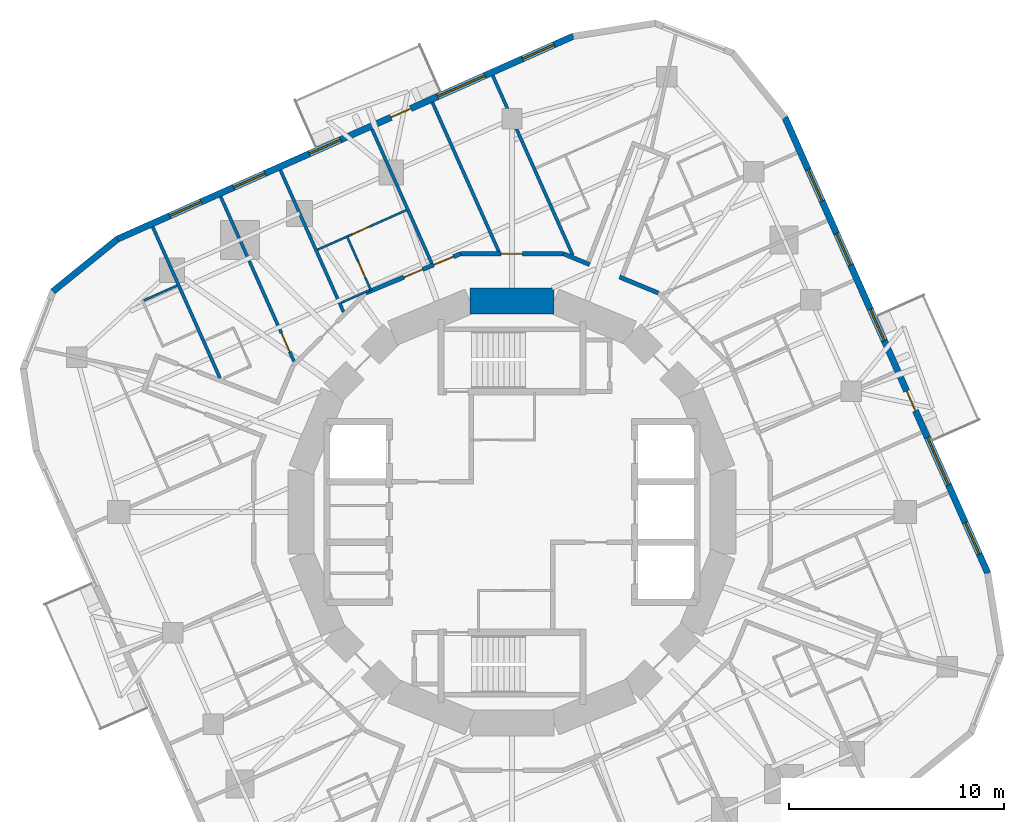
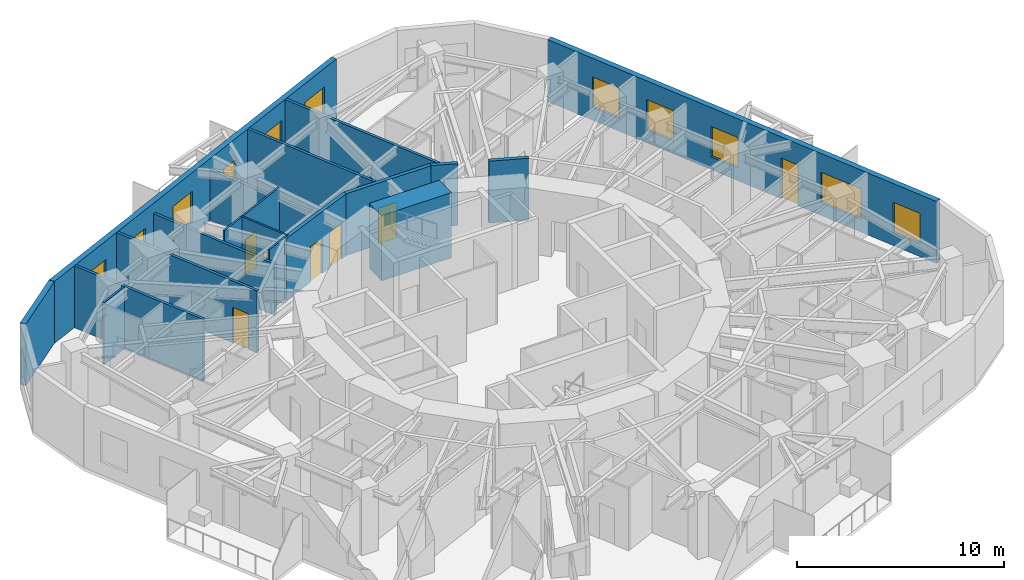
# One storey, part 9 of 12: 19 walls, 10 windows, 8 doors, 18 openings.
"""IFC4 building model written with IfcOpenShell, lengths in metres."""

from ifc_helpers import new_model, si_unit, direction, frame, frame_2d, origin, place, context, subcontext, project, spatial, rectangle, extrude, material, layer, layer_set, type_object, element, fill, save


model = new_model("IFC4")

# Units and contexts
model_context = context("Model", 3, precision=1e-05, world=origin(), true_north=direction((0.0, 1.0)))
body_context = subcontext(model_context, "Body", "Model", "MODEL_VIEW")
ifc_project = project(units=[si_unit("LENGTHUNIT", "METRE"), si_unit("AREAUNIT", "SQUARE_METRE"), si_unit("VOLUMEUNIT", "CUBIC_METRE"), si_unit("PLANEANGLEUNIT", "RADIAN"), si_unit("MASSUNIT", "GRAM", prefix="KILO")], contexts=[model_context])

# Site, building, storey
site_placement = place(None, origin())
site = spatial("IfcSite", under=ifc_project, at=site_placement, CompositionType="ELEMENT")
building_placement = place(site_placement, origin())
building = spatial("IfcBuilding", under=site, at=building_placement, Name="Nakasero Lantern House", CompositionType="ELEMENT")
storey_placement = place(building_placement, frame((0.0, 0.0, 186.300048828125)))
storey = spatial("IfcBuildingStorey", under=building, at=storey_placement, Name="L45", CompositionType="ELEMENT", Elevation=186.300048828125)

# Wall
ifc_material_1 = material(Name="Concrete C50/60", Category="concrete")
ifc_layer_1 = layer(ifc_material_1, 1.199951171875)
ifc_layer_set_1 = layer_set([ifc_layer_1], Name="Core wall 1200")
wall_type_1 = type_object("IfcWallType", Name="Core wall 1200", PredefinedType="SHEAR", material=ifc_layer_set_1)
wall_1_placement = place(storey_placement, frame((1.950927734375, 9.807861328125, 0.0), z_axis=(0.0, 0.0, 1.0), x_axis=(-1.0, 0.0, 0.0)))
element("IfcWall", 1, at=wall_1_placement, inside=storey, type_object=wall_type_1, Name="Core wall L45 facet 4", PredefinedType="SHEAR", context=body_context, shape_type="SweptSolid", body=[
    extrude(rectangle(XDim=3.90185546875, YDim=1.199951171875, at=frame_2d((1.950927734375, 0.0))), origin(), (0.0, 0.0, 1.0), 3.849853515625),
])

# Wall, openings, doors
ifc_material_2 = material(Name="Blockwork", Category="masonry")
ifc_layer_2 = layer(ifc_material_2, 0.199951171875)
ifc_layer_set_2 = layer_set([ifc_layer_2], Name="Corridor wall 200")
wall_type_2 = type_object("IfcWallType", Name="Corridor wall 200", PredefinedType="PARTITIONING", material=ifc_layer_set_2)
wall_2_placement = place(storey_placement, frame((-6.802001953125, 10.1796875, 0.0), z_axis=(0.0, 0.0, 1.0), x_axis=(0.923882292998, 0.382676767893, 0.0)))
wall_2 = element("IfcWall", 2, at=wall_2_placement, inside=storey, type_object=wall_type_2, Name="Corridor wall L45 RC11a", PredefinedType="PARTITIONING", context=body_context, shape_type="SweptSolid", body=[
    extrude(rectangle(XDim=4.777099609375, YDim=0.199951171875, at=frame_2d((2.388671875, 0.0))), origin(), (0.0, 0.0, 1.0), 3.64990234375),
])
opening_1_placement = place(wall_2_placement, frame((1.919921875, 0.0, 0.0)))
opening_1 = element("IfcOpeningElement", 3, at=opening_1_placement, cuts=wall_2, Name="Opening D01", PredefinedType="OPENING", context=body_context, shape_type="SweptSolid", body=[
    extrude(rectangle(XDim=0.949951171875, YDim=2.10009765625, at=frame_2d((0.47509765625, 1.050048828125))), frame((0.0, 0.119873046875, 0.0), z_axis=(0.0, -1.0, 0.0), x_axis=(1.0, 0.0, 0.0)), (0.0, 0.0, 1.0), 0.239990234375),
])
opening_2_placement = place(wall_2_placement, frame((3.419921875, 0.0, 0.0)))
opening_2 = element("IfcOpeningElement", 4, at=opening_2_placement, cuts=wall_2, Name="Opening D03", PredefinedType="OPENING", context=body_context, shape_type="SweptSolid", body=[
    extrude(rectangle(XDim=1.0, YDim=2.10009765625, at=frame_2d((0.5, 1.050048828125))), frame((0.0, 0.119873046875, 0.0), z_axis=(0.0, -1.0, 0.0), x_axis=(1.0, 0.0, 0.0)), (0.0, 0.0, 1.0), 0.239990234375),
])
ifc_material_3 = material(Name="Timber C24", Category="wood")
door_type_1 = type_object("IfcDoorType", Name="Bedroom door FD30S 950", OperationType="SINGLE_SWING_LEFT", PredefinedType="DOOR", material=ifc_material_3)
door_1_placement = place(opening_1_placement, origin())
door_1 = element("IfcDoor", 5, at=door_1_placement, inside=storey, type_object=door_type_1, Name="Door L45 D1-03", OperationType="SINGLE_SWING_RIGHT", OverallHeight=2.10009765625, OverallWidth=0.949951171875, PredefinedType="DOOR", context=body_context, shape_type="SweptSolid", body=[
    extrude(rectangle(XDim=0.949951171875, YDim=2.10009765625, at=frame_2d((0.47509765625, 1.050048828125))), frame((0.0, 0.02490234375, 0.0), z_axis=(0.0, -1.0, 0.0), x_axis=(1.0, 0.0, 0.0)), (0.0, 0.0, 1.0), 0.050048828125),
])
fill(opening_1, door_1)
ifc_material_4 = material(Name="Timber C24", Category="wood")
door_type_2 = type_object("IfcDoorType", Name="Lounge door FD30S 1000", OperationType="SINGLE_SWING_LEFT", PredefinedType="DOOR", material=ifc_material_4)
door_2_placement = place(opening_2_placement, origin())
door_2 = element("IfcDoor", 6, at=door_2_placement, inside=storey, type_object=door_type_2, Name="Door L45 DK1-1", OperationType="SINGLE_SWING_RIGHT", OverallHeight=2.10009765625, OverallWidth=1.0, PredefinedType="DOOR", context=body_context, shape_type="SweptSolid", body=[
    extrude(rectangle(XDim=1.0, YDim=2.10009765625, at=frame_2d((0.5, 1.050048828125))), frame((0.0, 0.02490234375, 0.0), z_axis=(0.0, -1.0, 0.0), x_axis=(1.0, 0.0, 0.0)), (0.0, 0.0, 1.0), 0.050048828125),
])
fill(opening_2, door_2)

# Wall, opening, door
wall_3_placement = place(storey_placement, frame((-2.388427734375, 12.0078125, 0.0), z_axis=(0.0, 0.0, 1.0), x_axis=(1.0, 0.0, 0.0)))
wall_3 = element("IfcWall", 7, at=wall_3_placement, inside=storey, type_object=wall_type_2, Name="Corridor wall L45 RC12a", PredefinedType="PARTITIONING", context=body_context, shape_type="SweptSolid", body=[
    extrude(rectangle(XDim=4.77685546875, YDim=0.199951171875, at=frame_2d((2.388427734375, 0.0))), origin(), (0.0, 0.0, 1.0), 3.64990234375),
])
opening_3_placement = place(wall_3_placement, frame((1.8701171875, 0.0, 0.0)))
opening_3 = element("IfcOpeningElement", 8, at=opening_3_placement, cuts=wall_3, Name="Opening D03", PredefinedType="OPENING", context=body_context, shape_type="SweptSolid", body=[
    extrude(rectangle(XDim=1.0, YDim=2.10009765625, at=frame_2d((0.5, 1.050048828125))), frame((0.0, 0.119873046875, 0.0), z_axis=(0.0, -1.0, 0.0), x_axis=(1.0, 0.0, 0.0)), (0.0, 0.0, 1.0), 0.239990234375),
])
door_3_placement = place(opening_3_placement, origin())
door_3 = element("IfcDoor", 9, at=door_3_placement, inside=storey, type_object=door_type_2, Name="Door L45 DK1", OperationType="SINGLE_SWING_LEFT", OverallHeight=2.10009765625, OverallWidth=1.0, PredefinedType="DOOR", context=body_context, shape_type="SweptSolid", body=[
    extrude(rectangle(XDim=1.0, YDim=2.10009765625, at=frame_2d((0.5, 1.050048828125))), frame((0.0, 0.02490234375, 0.0), z_axis=(0.0, -1.0, 0.0), x_axis=(1.0, 0.0, 0.0)), (0.0, 0.0, 1.0), 0.050048828125),
])
fill(opening_3, door_3)

# Walls
wall_4_placement = place(storey_placement, frame((2.388427734375, 12.0078125, 0.0), z_axis=(0.0, 0.0, 1.0), x_axis=(0.923893220228, -0.382650385623, 0.0)))
element("IfcWall", 10, at=wall_4_placement, inside=storey, type_object=wall_type_2, Name="Corridor wall L45 RC13a", PredefinedType="PARTITIONING", context=body_context, shape_type="SweptSolid", body=[
    extrude(rectangle(XDim=1.323974609375, YDim=0.199951171875, at=frame_2d((0.662109375, 0.0))), origin(), (0.0, 0.0, 1.0), 3.64990234375),
])
wall_5_placement = place(storey_placement, frame((4.997802734375, 10.927001953125, 0.0), z_axis=(0.0, 0.0, 1.0), x_axis=(0.923881222106, -0.382679353297, 0.0)))
element("IfcWall", 11, at=wall_5_placement, inside=storey, type_object=wall_type_2, Name="Corridor wall L45 RC13b", PredefinedType="PARTITIONING", context=body_context, shape_type="SweptSolid", body=[
    extrude(rectangle(XDim=1.952880859375, YDim=0.199951171875, at=frame_2d((0.9765625, 0.0))), origin(), (0.0, 0.0, 1.0), 3.64990234375),
])

# Wall, opening, door
ifc_material_5 = material(Name="Blockwork", Category="masonry")
ifc_layer_3 = layer(ifc_material_5, 0.10009765625)
ifc_layer_set_3 = layer_set([ifc_layer_3], Name="En-suite wall 100")
wall_type_3 = type_object("IfcWallType", Name="En-suite wall 100", PredefinedType="PARTITIONING", material=ifc_layer_set_3)
wall_6_placement = place(storey_placement, frame((-6.550048828125, 10.29248046875, 0.0), z_axis=(0.0, 0.0, 1.0), x_axis=(-0.406761316386, 0.913534471978, 0.0)))
wall_6 = element("IfcWall", 12, at=wall_6_placement, inside=storey, type_object=wall_type_3, Name="En-suite wall L45 ES1-03", PredefinedType="PARTITIONING", context=body_context, shape_type="SweptSolid", body=[
    extrude(rectangle(XDim=2.800048828125, YDim=0.10009765625, at=frame_2d((1.39990234375, 0.0))), origin(), (0.0, 0.0, 1.0), 3.64990234375),
])
opening_4_placement = place(wall_6_placement, frame((0.64990234375, 0.0, 0.0)))
opening_4 = element("IfcOpeningElement", 13, at=opening_4_placement, cuts=wall_6, Name="Opening D02", PredefinedType="OPENING", context=body_context, shape_type="SweptSolid", body=[
    extrude(rectangle(XDim=0.800048828125, YDim=2.10009765625, at=frame_2d((0.39990234375, 1.050048828125))), frame((0.0, 0.070068359375, 0.0), z_axis=(0.0, -1.0, 0.0), x_axis=(1.0, 0.0, 0.0)), (0.0, 0.0, 1.0), 0.14013671875),
])
ifc_material_6 = material(Name="Timber C24", Category="wood")
door_type_3 = type_object("IfcDoorType", Name="En-suite door 800", OperationType="SINGLE_SWING_RIGHT", PredefinedType="DOOR", material=ifc_material_6)
door_4_placement = place(opening_4_placement, origin())
door_4 = element("IfcDoor", 14, at=door_4_placement, inside=storey, type_object=door_type_3, Name="Door L45 DE1-03", OperationType="SINGLE_SWING_LEFT", OverallHeight=2.10009765625, OverallWidth=0.800048828125, PredefinedType="DOOR", context=body_context, shape_type="SweptSolid", body=[
    extrude(rectangle(XDim=0.800048828125, YDim=2.10009765625, at=frame_2d((0.39990234375, 1.050048828125))), frame((0.0, 0.02490234375, 0.0), z_axis=(0.0, -1.0, 0.0), x_axis=(1.0, 0.0, 0.0)), (0.0, 0.0, 1.0), 0.050048828125),
])
fill(opening_4, door_4)

# Walls
wall_7_placement = place(storey_placement, frame((-7.71435546875, 12.784423828125, 0.0), z_axis=(0.0, 0.0, 1.0), x_axis=(-0.913505761017, -0.40682579145, 0.0)))
element("IfcWall", 15, at=wall_7_placement, inside=storey, type_object=wall_type_3, Name="En-suite wall L45 EE1-03", PredefinedType="PARTITIONING", context=body_context, shape_type="SweptSolid", body=[
    extrude(rectangle(XDim=1.449951171875, YDim=0.10009765625, at=frame_2d((0.72509765625, 0.0))), origin(), (0.0, 0.0, 1.0), 3.64990234375),
])
wall_8_placement = place(storey_placement, frame((-6.615966796875, 10.31787109375, 0.0), z_axis=(0.0, 0.0, 1.0), x_axis=(-0.913533624044, -0.406763220732, 0.0)))
element("IfcWall", 16, at=wall_8_placement, inside=storey, type_object=wall_type_3, Name="En-suite wall L45 EI1-03", PredefinedType="PARTITIONING", context=body_context, shape_type="SweptSolid", body=[
    extrude(rectangle(XDim=1.4501953125, YDim=0.10009765625, at=frame_2d((0.72509765625, 0.0))), origin(), (0.0, 0.0, 1.0), 3.64990234375),
])
wall_9_placement = place(storey_placement, frame((-15.572265625, 10.526123046875, 0.0), z_axis=(0.0, 0.0, 1.0), x_axis=(-0.913550776237, -0.406724697108, 0.0)))
element("IfcWall", 17, at=wall_9_placement, inside=storey, type_object=wall_type_3, Name="En-suite wall L45 EE1-06", PredefinedType="PARTITIONING", context=body_context, shape_type="SweptSolid", body=[
    extrude(rectangle(XDim=1.699951171875, YDim=0.10009765625, at=frame_2d((0.85009765625, 0.0))), origin(), (0.0, 0.0, 1.0), 3.64990234375),
])

# Wall, opening, door
wall_10_placement = place(storey_placement, frame((-4.913818359375, 14.03125, 0.0), z_axis=(0.0, 0.0, 1.0), x_axis=(-0.91352274202, -0.406787659366, 0.0)))
wall_10 = element("IfcWall", 18, at=wall_10_placement, inside=storey, type_object=wall_type_3, Name="En-suite wall L45 EL1-03", PredefinedType="PARTITIONING", context=body_context, shape_type="SweptSolid", body=[
    extrude(rectangle(XDim=2.96533203125, YDim=0.10009765625, at=frame_2d((1.482666015625, 0.0))), origin(), (0.0, 0.0, 1.0), 3.64990234375),
])
opening_5_placement = place(wall_10_placement, frame((1.865478515625, 0.0, 0.0)))
opening_5 = element("IfcOpeningElement", 19, at=opening_5_placement, cuts=wall_10, Name="Opening D17", PredefinedType="OPENING", context=body_context, shape_type="SweptSolid", body=[
    extrude(rectangle(XDim=0.89990234375, YDim=2.10009765625, at=frame_2d((0.449951171875, 1.050048828125))), frame((0.0, 0.070068359375, 0.0), z_axis=(0.0, -1.0, 0.0), x_axis=(1.0, 0.0, 0.0)), (0.0, 0.0, 1.0), 0.14013671875),
])
ifc_material_7 = material(Name="Timber C24", Category="wood")
door_type_4 = type_object("IfcDoorType", Name="Bedroom door FD30S 900", OperationType="SINGLE_SWING_LEFT", PredefinedType="DOOR", material=ifc_material_7)
door_5_placement = place(opening_5_placement, origin())
door_5 = element("IfcDoor", 20, at=door_5_placement, inside=storey, type_object=door_type_4, Name="Door L45 DL1-03", OperationType="SINGLE_SWING_RIGHT", OverallHeight=2.10009765625, OverallWidth=0.89990234375, PredefinedType="DOOR", context=body_context, shape_type="SweptSolid", body=[
    extrude(rectangle(XDim=0.89990234375, YDim=2.10009765625, at=frame_2d((0.449951171875, 1.050048828125))), frame((0.0, 0.02490234375, 0.0), z_axis=(0.0, -1.0, 0.0), x_axis=(1.0, 0.0, 0.0)), (0.0, 0.0, 1.0), 0.050048828125),
])
fill(opening_5, door_5)

# Wall, openings, door, windows
ifc_material_8 = material(Name="Aluminium rainscreen on blockwork", Category="masonry")
ifc_layer_4 = layer(ifc_material_8, 0.300048828125)
ifc_layer_set_4 = layer_set([ifc_layer_4], Name="Facade wall 300")
wall_type_4 = type_object("IfcWallType", Name="Facade wall 300", PredefinedType="SOLIDWALL", material=ifc_layer_set_4)
wall_11_placement = place(storey_placement, frame((22.12109375, -2.848876953125, 0.0), z_axis=(0.0, 0.0, 1.0), x_axis=(-0.406734951338, 0.913546210851, 0.0)))
wall_11 = element("IfcWall", 21, at=wall_11_placement, inside=storey, type_object=wall_type_4, Name="Facade wall L45 FW0S", PredefinedType="SOLIDWALL", context=body_context, shape_type="SweptSolid", body=[
    extrude(rectangle(XDim=23.199951171875, YDim=0.300048828125, at=frame_2d((11.60009765625, 0.0))), origin(), (0.0, 0.0, 1.0), 3.64990234375),
])
opening_6_placement = place(wall_11_placement, frame((0.982421875, 0.0, 0.75)))
opening_6 = element("IfcOpeningElement", 22, at=opening_6_placement, cuts=wall_11, Name="Opening W01", PredefinedType="OPENING", context=body_context, shape_type="SweptSolid", body=[
    extrude(rectangle(XDim=1.60009765625, YDim=1.800048828125, at=frame_2d((0.800048828125, 0.89990234375))), frame((0.0, 0.169921875, 0.0), z_axis=(0.0, -1.0, 0.0), x_axis=(1.0, 0.0, 0.0)), (0.0, 0.0, 1.0), 0.340087890625),
])
opening_7_placement = place(wall_11_placement, frame((11.83984375, 0.0, 0.75)))
opening_7 = element("IfcOpeningElement", 23, at=opening_7_placement, cuts=wall_11, Name="Opening W01", PredefinedType="OPENING", context=body_context, shape_type="SweptSolid", body=[
    extrude(rectangle(XDim=1.60009765625, YDim=1.800048828125, at=frame_2d((0.800048828125, 0.89990234375))), frame((0.0, 0.169921875, 0.0), z_axis=(0.0, -1.0, 0.0), x_axis=(1.0, 0.0, 0.0)), (0.0, 0.0, 1.0), 0.340087890625),
])
opening_8_placement = place(wall_11_placement, frame((15.69140625, 0.0, 0.75)))
opening_8 = element("IfcOpeningElement", 24, at=opening_8_placement, cuts=wall_11, Name="Opening W01", PredefinedType="OPENING", context=body_context, shape_type="SweptSolid", body=[
    extrude(rectangle(XDim=1.60009765625, YDim=1.800048828125, at=frame_2d((0.800048828125, 0.89990234375))), frame((0.0, 0.169921875, 0.0), z_axis=(0.0, -1.0, 0.0), x_axis=(1.0, 0.0, 0.0)), (0.0, 0.0, 1.0), 0.340087890625),
])
opening_9_placement = place(wall_11_placement, frame((18.940185546875, 0.0, 0.75)))
opening_9 = element("IfcOpeningElement", 25, at=opening_9_placement, cuts=wall_11, Name="Opening W01", PredefinedType="OPENING", context=body_context, shape_type="SweptSolid", body=[
    extrude(rectangle(XDim=1.60009765625, YDim=1.800048828125, at=frame_2d((0.800048828125, 0.89990234375))), frame((0.0, 0.169921875, 0.0), z_axis=(0.0, -1.0, 0.0), x_axis=(1.0, 0.0, 0.0)), (0.0, 0.0, 1.0), 0.340087890625),
])
opening_10_placement = place(wall_11_placement, frame((4.500244140625, 0.0, 0.75)))
opening_10 = element("IfcOpeningElement", 26, at=opening_10_placement, cuts=wall_11, Name="Opening W03", PredefinedType="OPENING", context=body_context, shape_type="SweptSolid", body=[
    extrude(rectangle(XDim=2.39990234375, YDim=1.800048828125, at=frame_2d((1.199951171875, 0.89990234375))), frame((0.0, 0.169921875, 0.0), z_axis=(0.0, -1.0, 0.0), x_axis=(1.0, 0.0, 0.0)), (0.0, 0.0, 1.0), 0.340087890625),
])
opening_11_placement = place(wall_11_placement, frame((8.271484375, 0.0, 0.0)))
opening_11 = element("IfcOpeningElement", 27, at=opening_11_placement, cuts=wall_11, Name="Opening D04", PredefinedType="OPENING", context=body_context, shape_type="SweptSolid", body=[
    extrude(rectangle(XDim=1.0, YDim=2.39990234375, at=frame_2d((0.5, 1.199951171875))), frame((0.0, 0.169921875, 0.0), z_axis=(0.0, -1.0, 0.0), x_axis=(1.0, 0.0, 0.0)), (0.0, 0.0, 1.0), 0.340087890625),
])
ifc_material_9 = material(Name="Aluminium 6063-T6 and glass", Category="aluminium")
door_type_5 = type_object("IfcDoorType", Name="Balcony door 1000x2400", OperationType="SINGLE_SWING_RIGHT", PredefinedType="DOOR", material=ifc_material_9)
door_6_placement = place(opening_11_placement, origin())
door_6 = element("IfcDoor", 28, at=door_6_placement, inside=storey, type_object=door_type_5, Name="Balcony door L45 DB0", OperationType="SINGLE_SWING_RIGHT", OverallHeight=2.39990234375, OverallWidth=1.0, PredefinedType="DOOR", context=body_context, shape_type="SweptSolid", body=[
    extrude(rectangle(XDim=1.0, YDim=2.39990234375, at=frame_2d((0.5, 1.199951171875))), frame((0.0, 0.02490234375, 0.0), z_axis=(0.0, -1.0, 0.0), x_axis=(1.0, 0.0, 0.0)), (0.0, 0.0, 1.0), 0.050048828125),
])
fill(opening_11, door_6)
ifc_material_10 = material(Name="Aluminium 6063-T6 and glass", Category="aluminium")
window_type_1 = type_object("IfcWindowType", Name="Bedroom window 1600x1800", PartitioningType="SINGLE_PANEL", PredefinedType="WINDOW", material=ifc_material_10)
window_1_placement = place(opening_6_placement, origin())
window_1 = element("IfcWindow", 29, at=window_1_placement, inside=storey, type_object=window_type_1, Name="Window L45 WN0-00", OverallHeight=1.800048828125, OverallWidth=1.60009765625, PartitioningType="SINGLE_PANEL", PredefinedType="WINDOW", context=body_context, shape_type="SweptSolid", body=[
    extrude(rectangle(XDim=1.60009765625, YDim=1.800048828125, at=frame_2d((0.800048828125, 0.89990234375))), frame((0.0, 0.030029296875, 0.0), z_axis=(0.0, -1.0, 0.0), x_axis=(1.0, 0.0, 0.0)), (0.0, 0.0, 1.0), 0.06005859375),
])
fill(opening_6, window_1)
window_2_placement = place(opening_7_placement, origin())
window_2 = element("IfcWindow", 30, at=window_2_placement, inside=storey, type_object=window_type_1, Name="Window L45 WN0-03", OverallHeight=1.800048828125, OverallWidth=1.60009765625, PartitioningType="SINGLE_PANEL", PredefinedType="WINDOW", context=body_context, shape_type="SweptSolid", body=[
    extrude(rectangle(XDim=1.60009765625, YDim=1.800048828125, at=frame_2d((0.800048828125, 0.89990234375))), frame((0.0, 0.030029296875, 0.0), z_axis=(0.0, -1.0, 0.0), x_axis=(1.0, 0.0, 0.0)), (0.0, 0.0, 1.0), 0.06005859375),
])
fill(opening_7, window_2)
window_3_placement = place(opening_8_placement, origin())
window_3 = element("IfcWindow", 31, at=window_3_placement, inside=storey, type_object=window_type_1, Name="Window L45 WN0-04", OverallHeight=1.800048828125, OverallWidth=1.60009765625, PartitioningType="SINGLE_PANEL", PredefinedType="WINDOW", context=body_context, shape_type="SweptSolid", body=[
    extrude(rectangle(XDim=1.60009765625, YDim=1.800048828125, at=frame_2d((0.800048828125, 0.89990234375))), frame((0.0, 0.030029296875, 0.0), z_axis=(0.0, -1.0, 0.0), x_axis=(1.0, 0.0, 0.0)), (0.0, 0.0, 1.0), 0.06005859375),
])
fill(opening_8, window_3)
window_4_placement = place(opening_9_placement, origin())
window_4 = element("IfcWindow", 32, at=window_4_placement, inside=storey, type_object=window_type_1, Name="Window L45 WN0-05", OverallHeight=1.800048828125, OverallWidth=1.60009765625, PartitioningType="SINGLE_PANEL", PredefinedType="WINDOW", context=body_context, shape_type="SweptSolid", body=[
    extrude(rectangle(XDim=1.60009765625, YDim=1.800048828125, at=frame_2d((0.800048828125, 0.89990234375))), frame((0.0, 0.030029296875, 0.0), z_axis=(0.0, -1.0, 0.0), x_axis=(1.0, 0.0, 0.0)), (0.0, 0.0, 1.0), 0.06005859375),
])
fill(opening_9, window_4)
ifc_material_11 = material(Name="Aluminium 6063-T6 and glass", Category="aluminium")
window_type_2 = type_object("IfcWindowType", Name="Lounge window 2400x1800", PartitioningType="SINGLE_PANEL", PredefinedType="WINDOW", material=ifc_material_11)
window_5_placement = place(opening_10_placement, origin())
window_5 = element("IfcWindow", 33, at=window_5_placement, inside=storey, type_object=window_type_2, Name="Window L45 WK0", OverallHeight=1.800048828125, OverallWidth=2.39990234375, PartitioningType="SINGLE_PANEL", PredefinedType="WINDOW", context=body_context, shape_type="SweptSolid", body=[
    extrude(rectangle(XDim=2.39990234375, YDim=1.800048828125, at=frame_2d((1.199951171875, 0.89990234375))), frame((0.0, 0.030029296875, 0.0), z_axis=(0.0, -1.0, 0.0), x_axis=(1.0, 0.0, 0.0)), (0.0, 0.0, 1.0), 0.06005859375),
])
fill(opening_10, window_5)

wall_12_placement = place(storey_placement, frame((2.848876953125, 22.12109375, 0.0), z_axis=(0.0, 0.0, 1.0), x_axis=(-0.913546210851, -0.406734951338, 0.0)))
wall_12 = element("IfcWall", 34, at=wall_12_placement, inside=storey, type_object=wall_type_4, Name="Facade wall L45 FW1S", PredefinedType="SOLIDWALL", context=body_context, shape_type="SweptSolid", body=[
    extrude(rectangle(XDim=23.199951171875, YDim=0.300048828125, at=frame_2d((11.60009765625, 0.0))), origin(), (0.0, 0.0, 1.0), 3.64990234375),
])
opening_12_placement = place(wall_12_placement, frame((0.982421875, 0.0, 0.75)))
opening_12 = element("IfcOpeningElement", 35, at=opening_12_placement, cuts=wall_12, Name="Opening W01", PredefinedType="OPENING", context=body_context, shape_type="SweptSolid", body=[
    extrude(rectangle(XDim=1.60009765625, YDim=1.800048828125, at=frame_2d((0.800048828125, 0.89990234375))), frame((0.0, 0.169921875, 0.0), z_axis=(0.0, -1.0, 0.0), x_axis=(1.0, 0.0, 0.0)), (0.0, 0.0, 1.0), 0.340087890625),
])
opening_13_placement = place(wall_12_placement, frame((11.83984375, 0.0, 0.75)))
opening_13 = element("IfcOpeningElement", 36, at=opening_13_placement, cuts=wall_12, Name="Opening W01", PredefinedType="OPENING", context=body_context, shape_type="SweptSolid", body=[
    extrude(rectangle(XDim=1.60009765625, YDim=1.800048828125, at=frame_2d((0.800048828125, 0.89990234375))), frame((0.0, 0.169921875, 0.0), z_axis=(0.0, -1.0, 0.0), x_axis=(1.0, 0.0, 0.0)), (0.0, 0.0, 1.0), 0.340087890625),
])
opening_14_placement = place(wall_12_placement, frame((15.69140625, 0.0, 0.75)))
opening_14 = element("IfcOpeningElement", 37, at=opening_14_placement, cuts=wall_12, Name="Opening W01", PredefinedType="OPENING", context=body_context, shape_type="SweptSolid", body=[
    extrude(rectangle(XDim=1.60009765625, YDim=1.800048828125, at=frame_2d((0.800048828125, 0.89990234375))), frame((0.0, 0.169921875, 0.0), z_axis=(0.0, -1.0, 0.0), x_axis=(1.0, 0.0, 0.0)), (0.0, 0.0, 1.0), 0.340087890625),
])
opening_15_placement = place(wall_12_placement, frame((18.940185546875, 0.0, 0.75)))
opening_15 = element("IfcOpeningElement", 38, at=opening_15_placement, cuts=wall_12, Name="Opening W01", PredefinedType="OPENING", context=body_context, shape_type="SweptSolid", body=[
    extrude(rectangle(XDim=1.60009765625, YDim=1.800048828125, at=frame_2d((0.800048828125, 0.89990234375))), frame((0.0, 0.169921875, 0.0), z_axis=(0.0, -1.0, 0.0), x_axis=(1.0, 0.0, 0.0)), (0.0, 0.0, 1.0), 0.340087890625),
])
opening_16_placement = place(wall_12_placement, frame((4.500244140625, 0.0, 0.75)))
opening_16 = element("IfcOpeningElement", 39, at=opening_16_placement, cuts=wall_12, Name="Opening W03", PredefinedType="OPENING", context=body_context, shape_type="SweptSolid", body=[
    extrude(rectangle(XDim=2.39990234375, YDim=1.800048828125, at=frame_2d((1.199951171875, 0.89990234375))), frame((0.0, 0.169921875, 0.0), z_axis=(0.0, -1.0, 0.0), x_axis=(1.0, 0.0, 0.0)), (0.0, 0.0, 1.0), 0.340087890625),
])
opening_17_placement = place(wall_12_placement, frame((8.271484375, 0.0, 0.0)))
opening_17 = element("IfcOpeningElement", 40, at=opening_17_placement, cuts=wall_12, Name="Opening D04", PredefinedType="OPENING", context=body_context, shape_type="SweptSolid", body=[
    extrude(rectangle(XDim=1.0, YDim=2.39990234375, at=frame_2d((0.5, 1.199951171875))), frame((0.0, 0.169921875, 0.0), z_axis=(0.0, -1.0, 0.0), x_axis=(1.0, 0.0, 0.0)), (0.0, 0.0, 1.0), 0.340087890625),
])
door_7_placement = place(opening_17_placement, origin())
door_7 = element("IfcDoor", 41, at=door_7_placement, inside=storey, type_object=door_type_5, Name="Balcony door L45 DB1", OperationType="SINGLE_SWING_RIGHT", OverallHeight=2.39990234375, OverallWidth=1.0, PredefinedType="DOOR", context=body_context, shape_type="SweptSolid", body=[
    extrude(rectangle(XDim=1.0, YDim=2.39990234375, at=frame_2d((0.5, 1.199951171875))), frame((0.0, 0.02490234375, 0.0), z_axis=(0.0, -1.0, 0.0), x_axis=(1.0, 0.0, 0.0)), (0.0, 0.0, 1.0), 0.050048828125),
])
fill(opening_17, door_7)
window_6_placement = place(opening_12_placement, origin())
window_6 = element("IfcWindow", 42, at=window_6_placement, inside=storey, type_object=window_type_1, Name="Window L45 WN1-00", OverallHeight=1.800048828125, OverallWidth=1.60009765625, PartitioningType="SINGLE_PANEL", PredefinedType="WINDOW", context=body_context, shape_type="SweptSolid", body=[
    extrude(rectangle(XDim=1.60009765625, YDim=1.800048828125, at=frame_2d((0.800048828125, 0.89990234375))), frame((0.0, 0.030029296875, 0.0), z_axis=(0.0, -1.0, 0.0), x_axis=(1.0, 0.0, 0.0)), (0.0, 0.0, 1.0), 0.06005859375),
])
fill(opening_12, window_6)
window_7_placement = place(opening_13_placement, origin())
window_7 = element("IfcWindow", 43, at=window_7_placement, inside=storey, type_object=window_type_1, Name="Window L45 WN1-03", OverallHeight=1.800048828125, OverallWidth=1.60009765625, PartitioningType="SINGLE_PANEL", PredefinedType="WINDOW", context=body_context, shape_type="SweptSolid", body=[
    extrude(rectangle(XDim=1.60009765625, YDim=1.800048828125, at=frame_2d((0.800048828125, 0.89990234375))), frame((0.0, 0.030029296875, 0.0), z_axis=(0.0, -1.0, 0.0), x_axis=(1.0, 0.0, 0.0)), (0.0, 0.0, 1.0), 0.06005859375),
])
fill(opening_13, window_7)
window_8_placement = place(opening_14_placement, origin())
window_8 = element("IfcWindow", 44, at=window_8_placement, inside=storey, type_object=window_type_1, Name="Window L45 WN1-04", OverallHeight=1.800048828125, OverallWidth=1.60009765625, PartitioningType="SINGLE_PANEL", PredefinedType="WINDOW", context=body_context, shape_type="SweptSolid", body=[
    extrude(rectangle(XDim=1.60009765625, YDim=1.800048828125, at=frame_2d((0.800048828125, 0.89990234375))), frame((0.0, 0.030029296875, 0.0), z_axis=(0.0, -1.0, 0.0), x_axis=(1.0, 0.0, 0.0)), (0.0, 0.0, 1.0), 0.06005859375),
])
fill(opening_14, window_8)
window_9_placement = place(opening_15_placement, origin())
window_9 = element("IfcWindow", 45, at=window_9_placement, inside=storey, type_object=window_type_1, Name="Window L45 WN1-05", OverallHeight=1.800048828125, OverallWidth=1.60009765625, PartitioningType="SINGLE_PANEL", PredefinedType="WINDOW", context=body_context, shape_type="SweptSolid", body=[
    extrude(rectangle(XDim=1.60009765625, YDim=1.800048828125, at=frame_2d((0.800048828125, 0.89990234375))), frame((0.0, 0.030029296875, 0.0), z_axis=(0.0, -1.0, 0.0), x_axis=(1.0, 0.0, 0.0)), (0.0, 0.0, 1.0), 0.06005859375),
])
fill(opening_15, window_9)
window_10_placement = place(opening_16_placement, origin())
window_10 = element("IfcWindow", 46, at=window_10_placement, inside=storey, type_object=window_type_2, Name="Window L45 WK1", OverallHeight=1.800048828125, OverallWidth=2.39990234375, PartitioningType="SINGLE_PANEL", PredefinedType="WINDOW", context=body_context, shape_type="SweptSolid", body=[
    extrude(rectangle(XDim=2.39990234375, YDim=1.800048828125, at=frame_2d((1.199951171875, 0.89990234375))), frame((0.0, 0.030029296875, 0.0), z_axis=(0.0, -1.0, 0.0), x_axis=(1.0, 0.0, 0.0)), (0.0, 0.0, 1.0), 0.06005859375),
])
fill(opening_16, window_10)

# Walls
wall_13_placement = place(storey_placement, frame((-18.345458984375, 12.684814453125, 0.0), z_axis=(0.0, 0.0, 1.0), x_axis=(-0.777174099125, -0.629285642335, 0.0)))
element("IfcWall", 47, at=wall_13_placement, inside=storey, type_object=wall_type_4, Name="Facade wall L45 FW1C1", PredefinedType="SOLIDWALL", context=body_context, shape_type="SweptSolid", body=[
    extrude(rectangle(XDim=3.8564453125, YDim=0.300048828125, at=frame_2d((1.92822265625, 0.0))), origin(), (0.0, 0.0, 1.0), 3.64990234375),
])
ifc_material_12 = material(Name="Blockwork", Category="masonry")
ifc_layer_5 = layer(ifc_material_12, 0.14990234375)
ifc_layer_set_5 = layer_set([ifc_layer_5], Name="Party wall 150")
wall_type_5 = type_object("IfcWallType", Name="Party wall 150", PredefinedType="PARTITIONING", material=ifc_layer_set_5)
wall_14_placement = place(storey_placement, frame((2.824951171875, 11.935302734375, 0.0), z_axis=(0.0, 0.0, 1.0), x_axis=(-0.40672291788, 0.91355156837, 0.0)))
element("IfcWall", 48, at=wall_14_placement, inside=storey, type_object=wall_type_5, Name="Party wall L45 PW1-01", PredefinedType="PARTITIONING", context=body_context, shape_type="SweptSolid", body=[
    extrude(rectangle(XDim=9.1455078125, YDim=0.14990234375, at=frame_2d((4.57275390625, 0.0))), origin(), (0.0, 0.0, 1.0), 3.64990234375),
])
wall_15_placement = place(storey_placement, frame((-0.61376953125, 12.10791015625, 0.0), z_axis=(0.0, 0.0, 1.0), x_axis=(-0.406720421521, 0.913552679772, 0.0)))
element("IfcWall", 49, at=wall_15_placement, inside=storey, type_object=wall_type_5, Name="Party wall L45 PW1-02", PredefinedType="PARTITIONING", context=body_context, shape_type="SweptSolid", body=[
    extrude(rectangle(XDim=7.589111328125, YDim=0.14990234375, at=frame_2d((3.79443359375, 0.0))), origin(), (0.0, 0.0, 1.0), 3.64990234375),
])
wall_16_placement = place(storey_placement, frame((-3.7314453125, 11.559814453125, 0.0), z_axis=(0.0, 0.0, 1.0), x_axis=(-0.406739408224, 0.913544226514, 0.0)))
element("IfcWall", 50, at=wall_16_placement, inside=storey, type_object=wall_type_5, Name="Party wall L45 PW1-03", PredefinedType="PARTITIONING", context=body_context, shape_type="SweptSolid", body=[
    extrude(rectangle(XDim=6.82177734375, YDim=0.14990234375, at=frame_2d((3.410888671875, 0.0))), origin(), (0.0, 0.0, 1.0), 2.966552734375),
])
wall_17_placement = place(storey_placement, frame((-7.829345703125, 9.293701171875, 0.0), z_axis=(0.0, 0.0, 1.0), x_axis=(-0.406759125496, 0.913535447493, 0.0)))
element("IfcWall", 51, at=wall_17_placement, inside=storey, type_object=wall_type_5, Name="Party wall L45 PW1-04", PredefinedType="PARTITIONING", context=body_context, shape_type="SweptSolid", body=[
    extrude(rectangle(XDim=7.225341796875, YDim=0.14990234375, at=frame_2d((3.61279296875, 0.0))), origin(), (0.0, 0.0, 1.0), 3.037841796875),
])

# Wall, opening, door
wall_18_placement = place(storey_placement, frame((-10.130615234375, 6.99267578125, 0.0), z_axis=(0.0, 0.0, 1.0), x_axis=(-0.406732255089, 0.913547411288, 0.0)))
wall_18 = element("IfcWall", 52, at=wall_18_placement, inside=storey, type_object=wall_type_5, Name="Party wall L45 PW1-05", PredefinedType="PARTITIONING", context=body_context, shape_type="SweptSolid", body=[
    extrude(rectangle(XDim=8.3916015625, YDim=0.14990234375, at=frame_2d((4.19580078125, 0.0))), origin(), (0.0, 0.0, 1.0), 3.64990234375),
])
opening_18_placement = place(wall_18_placement, frame((0.5, 0.0, 0.0)))
opening_18 = element("IfcOpeningElement", 53, at=opening_18_placement, cuts=wall_18, Name="Opening D01", PredefinedType="OPENING", context=body_context, shape_type="SweptSolid", body=[
    extrude(rectangle(XDim=0.949951171875, YDim=2.10009765625, at=frame_2d((0.47509765625, 1.050048828125))), frame((0.0, 0.094970703125, 0.0), z_axis=(0.0, -1.0, 0.0), x_axis=(1.0, 0.0, 0.0)), (0.0, 0.0, 1.0), 0.18994140625),
])
door_8_placement = place(opening_18_placement, origin())
door_8 = element("IfcDoor", 54, at=door_8_placement, inside=storey, type_object=door_type_1, Name="Door L45 DS1-05", OperationType="SINGLE_SWING_LEFT", OverallHeight=2.10009765625, OverallWidth=0.949951171875, PredefinedType="DOOR", context=body_context, shape_type="SweptSolid", body=[
    extrude(rectangle(XDim=0.949951171875, YDim=2.10009765625, at=frame_2d((0.47509765625, 1.050048828125))), frame((0.0, 0.02490234375, 0.0), z_axis=(0.0, -1.0, 0.0), x_axis=(1.0, 0.0, 0.0)), (0.0, 0.0, 1.0), 0.050048828125),
])
fill(opening_18, door_8)

# Wall
wall_19_placement = place(storey_placement, frame((-13.5771484375, 6.2294921875, 0.0), z_axis=(0.0, 0.0, 1.0), x_axis=(-0.406733656408, 0.913546787387, 0.0)))
element("IfcWall", 55, at=wall_19_placement, inside=storey, type_object=wall_type_5, Name="Party wall L45 PW1-06", PredefinedType="PARTITIONING", context=body_context, shape_type="SweptSolid", body=[
    extrude(rectangle(XDim=7.686767578125, YDim=0.14990234375, at=frame_2d((3.84326171875, 0.0))), origin(), (0.0, 0.0, 1.0), 3.64990234375),
])

save(model, "model.ifc")
